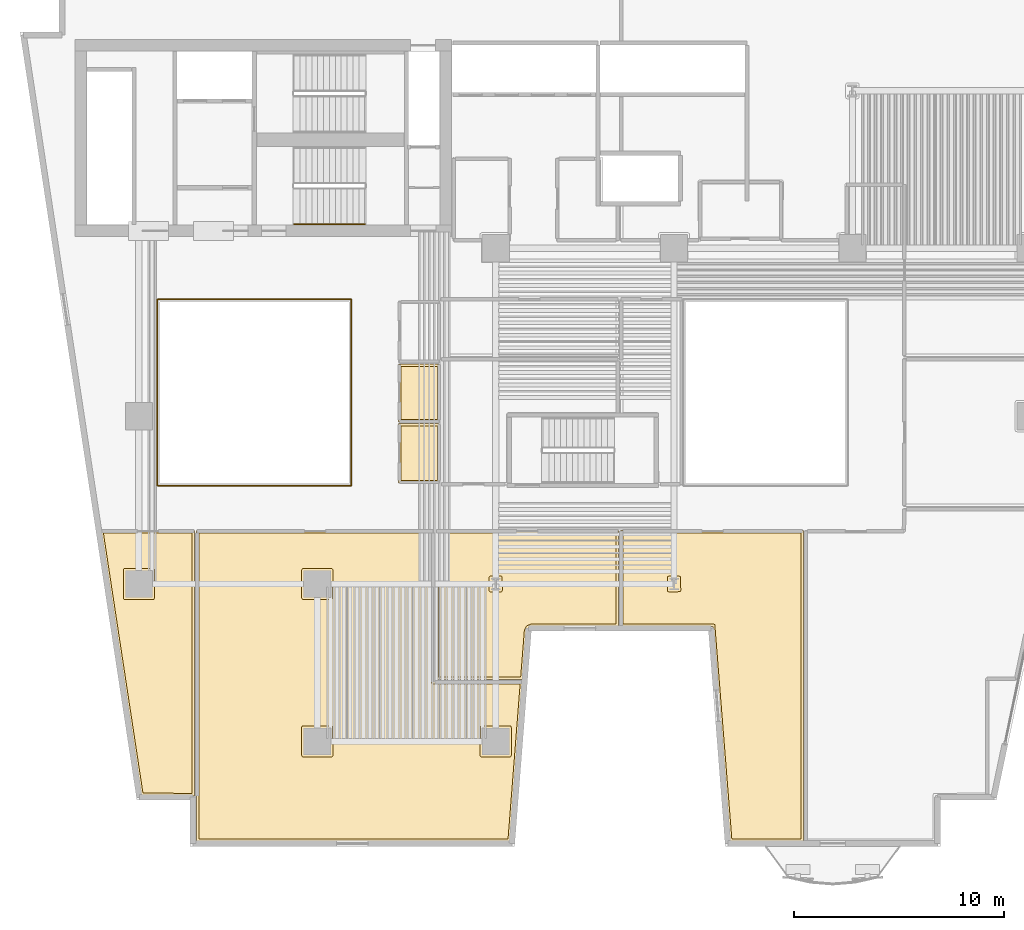
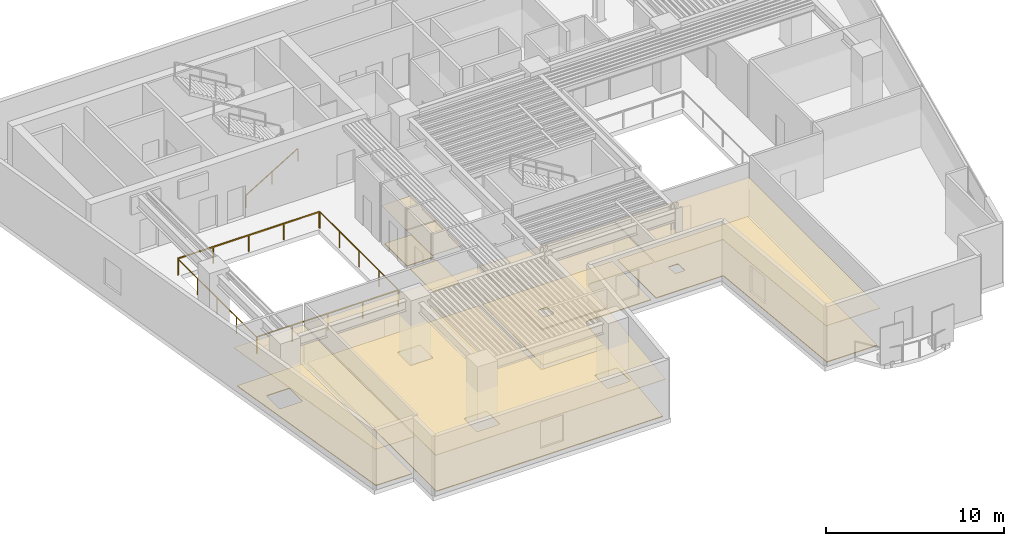
# One storey, part 7 of 11: 12 coverings, 5 railings.
"""IFC4 building model written with IfcOpenShell, lengths in metres."""

from ifc_helpers import new_model, si_unit, direction, frame, origin, origin_2d, place, context, subcontext, project, spatial, polyline, rectangle, outline, extrude, material, layer, layer_set, type_object, element, save


model = new_model("IFC4")

# Units and contexts
model_context = context("Model", 3, precision=1e-05, world=origin(), true_north=direction((0.0, 1.0)))
body_context = subcontext(model_context, "Body", "Model", "MODEL_VIEW")
ifc_project = project(units=[si_unit("LENGTHUNIT", "METRE"), si_unit("AREAUNIT", "SQUARE_METRE"), si_unit("VOLUMEUNIT", "CUBIC_METRE"), si_unit("PLANEANGLEUNIT", "RADIAN"), si_unit("MASSUNIT", "GRAM", prefix="KILO")], contexts=[model_context])

# Site, building, storey
site_placement = place(None, origin())
site = spatial("IfcSite", under=ifc_project, at=site_placement, CompositionType="ELEMENT")
building_placement = place(site_placement, origin())
building = spatial("IfcBuilding", under=site, at=building_placement, Name="Caeloran Harvest Quay", CompositionType="ELEMENT")
storey_placement = place(building_placement, frame((0.0, 0.0, 62.199951171875)))
storey = spatial("IfcBuildingStorey", under=building, at=storey_placement, Name="L14", CompositionType="ELEMENT", Elevation=62.199951171875)

# Coverings
ifc_material_1 = material(Name="Perforated Mineral-Fibre Acoustic Ceiling Tile", Category="ceiling")
ifc_layer_1 = layer(ifc_material_1, 0.0400390625, Name="Perforated Mineral-Fibre Acoustic Ceiling Tile")
ifc_layer_set_1 = layer_set([ifc_layer_1], Name="Perforated Mineral-Fibre Acoustic Ceiling Tile")
covering_type_1 = type_object("IfcCoveringType", Name="COV-CEILING-ACOUSTIC", PredefinedType="CEILING", material=ifc_layer_set_1)
covering_1_placement = place(storey_placement, frame((0.0, 0.0, 2.60009765625)))
element("IfcCovering", 1, at=covering_1_placement, inside=storey, type_object=covering_type_1, Name="L14 Female Washroom WC Acoustic Ceiling", PredefinedType="CEILING", context=body_context, shape_type="SweptSolid", body=[
    extrude(outline(polyline([(22.840087890625, 22.7099609375), (20.8701171875, 22.7099609375), (20.8701171875, 25.489990234375), (22.840087890625, 25.489990234375), (22.840087890625, 22.7099609375)])), origin(), (0.0, 0.0, 1.0), 0.0400390625),
])
covering_2_placement = place(storey_placement, frame((0.0, 0.0, 2.60009765625)))
element("IfcCovering", 2, at=covering_2_placement, inside=storey, type_object=covering_type_1, Name="L14 Accessible Unisex Washroom WC Acoustic Ceiling", PredefinedType="CEILING", context=body_context, shape_type="SweptSolid", body=[
    extrude(outline(polyline([(22.840087890625, 19.81005859375), (20.8701171875, 19.81005859375), (20.8701171875, 22.639892578125), (22.840087890625, 22.639892578125), (22.840087890625, 19.81005859375)])), origin(), (0.0, 0.0, 1.0), 0.0400390625),
])
covering_3_placement = place(storey_placement, frame((0.0, 0.0, 2.60009765625)))
element("IfcCovering", 3, at=covering_3_placement, inside=storey, type_object=covering_type_1, Name="Fermented Botanical Kitchen Acoustic Ceiling", PredefinedType="CEILING", context=body_context, shape_type="SweptSolid", body=[
    extrude(outline(polyline([(22.56005859375, 10.360107421875), (26.7958984375, 10.360107421875), (26.199462890625, 2.719970703125), (11.239990234375, 2.719970703125), (11.239990234375, 17.56005859375), (22.56005859375, 17.56005859375), (22.56005859375, 10.360107421875)])), origin(), (0.0, 0.0, 1.0), 0.0400390625),
])
covering_4_placement = place(storey_placement, frame((0.0, 0.0, 2.60009765625)))
element("IfcCovering", 4, at=covering_4_placement, inside=storey, type_object=covering_type_1, Name="Seedling Sensory Salon Lounge Acoustic Ceiling", PredefinedType="CEILING", context=body_context, shape_type="SweptSolid", body=[
    extrude(outline(polyline([(31.43994140625, 17.56005859375), (40.159912109375, 17.56005859375), (40.159912109375, 2.719970703125), (36.64404296875, 2.719970703125), (35.843994140625, 12.969970703125), (31.43994140625, 12.969970703125), (31.43994140625, 17.56005859375)])), origin(), (0.0, 0.0, 1.0), 0.0400390625),
])
covering_5_placement = place(storey_placement, frame((0.0, 0.0, 2.60009765625)))
element("IfcCovering", 5, at=covering_5_placement, inside=storey, type_object=covering_type_1, Name="Pollination Dining Lounge Acoustic Ceiling", PredefinedType="CEILING", context=body_context, shape_type="SweptSolid", body=[
    extrude(outline(polyline([(11.159912109375, 4.899658203125), (8.59130859375, 4.919921875), (6.668701171875, 17.56005859375), (11.159912109375, 17.56005859375), (11.159912109375, 4.899658203125)])), origin(), (0.0, 0.0, 1.0), 0.0400390625),
])
covering_6_placement = place(storey_placement, frame((0.0, 0.0, 2.60009765625)))
element("IfcCovering", 6, at=covering_6_placement, inside=storey, type_object=covering_type_1, Name="Harvest Seminar Room Acoustic Ceiling", PredefinedType="CEILING", context=body_context, shape_type="SweptSolid", body=[
    extrude(outline(polyline([(27.159423828125, 12.965576171875), (27.0458984375, 12.90380859375), (26.986572265625, 12.788818359375), (26.802001953125, 10.43994140625), (22.639892578125, 10.43994140625), (22.639892578125, 17.56005859375), (31.360107421875, 17.56005859375), (31.360107421875, 12.969970703125), (27.159423828125, 12.965576171875)])), origin(), (0.0, 0.0, 1.0), 0.0400390625),
])
ifc_material_2 = material(Name="Calcium-Sulphate Raised Access Floor and Terrazzo Finish", Category="flooring")
ifc_layer_2 = layer(ifc_material_2, 0.050048828125, Name="Calcium-Sulphate Raised Access Floor and Terrazzo Finish")
ifc_layer_set_2 = layer_set([ifc_layer_2], Name="Calcium-Sulphate Raised Access Floor and Terrazzo Finish")
covering_type_2 = type_object("IfcCoveringType", Name="COV-FLOOR-RAISED", PredefinedType="FLOORING", material=ifc_layer_set_2)
covering_7_placement = place(storey_placement, origin())
element("IfcCovering", 7, at=covering_7_placement, inside=storey, type_object=covering_type_2, Name="L14 Female Washroom WC Raised Finish Flooring", PredefinedType="FLOORING", context=body_context, shape_type="SweptSolid", body=[
    extrude(outline(polyline([(22.719970703125, 22.830078125), (20.989990234375, 22.830078125), (20.989990234375, 25.3701171875), (22.719970703125, 25.3701171875), (22.719970703125, 22.830078125)])), origin(), (0.0, 0.0, 1.0), 0.050048828125),
])
covering_8_placement = place(storey_placement, origin())
element("IfcCovering", 8, at=covering_8_placement, inside=storey, type_object=covering_type_2, Name="L14 Accessible Unisex Washroom WC Raised Finish Flooring", PredefinedType="FLOORING", context=body_context, shape_type="SweptSolid", body=[
    extrude(outline(polyline([(22.719970703125, 19.929931640625), (20.989990234375, 19.929931640625), (20.989990234375, 22.52001953125), (22.719970703125, 22.52001953125), (22.719970703125, 19.929931640625)])), origin(), (0.0, 0.0, 1.0), 0.050048828125),
])
covering_9_placement = place(storey_placement, origin())
element("IfcCovering", 9, at=covering_9_placement, inside=storey, type_object=covering_type_2, Name="Fermented Botanical Kitchen Raised Finish Flooring", PredefinedType="FLOORING", context=body_context, shape_type="SweptSolid", body=[
    extrude(outline(polyline([(11.360107421875, 17.43994140625), (22.43994140625, 17.43994140625), (22.449462890625, 10.2822265625), (22.52001953125, 10.239990234375), (26.666015625, 10.239990234375), (26.08837890625, 2.840087890625), (11.360107421875, 2.840087890625), (11.360107421875, 17.43994140625)]), holes=[polyline([(26.2451171875, 8.1650390625), (26.2216796875, 8.2216796875), (26.1650390625, 8.2451171875), (24.8349609375, 8.2451171875), (24.7783203125, 8.2216796875), (24.7548828125, 8.1650390625), (24.7548828125, 6.8349609375), (24.7783203125, 6.7783203125), (24.8349609375, 6.7548828125), (26.1650390625, 6.7548828125), (26.2216796875, 6.7783203125), (26.2451171875, 6.8349609375), (26.2451171875, 8.1650390625)]), polyline([(16.3349609375, 8.2451171875), (16.2783203125, 8.2216796875), (16.2548828125, 8.1650390625), (16.2548828125, 6.8349609375), (16.2783203125, 6.7783203125), (16.3349609375, 6.7548828125), (17.6650390625, 6.7548828125), (17.7216796875, 6.7783203125), (17.7451171875, 6.8349609375), (17.7451171875, 8.1650390625), (17.7216796875, 8.2216796875), (17.6650390625, 8.2451171875), (16.3349609375, 8.2451171875)]), polyline([(17.7451171875, 15.6650390625), (17.7216796875, 15.7216796875), (17.6650390625, 15.7451171875), (16.3349609375, 15.7451171875), (16.2783203125, 15.7216796875), (16.2548828125, 15.6650390625), (16.2548828125, 14.3349609375), (16.2783203125, 14.2783203125), (16.3349609375, 14.2548828125), (17.6650390625, 14.2548828125), (17.7216796875, 14.2783203125), (17.7451171875, 14.3349609375), (17.7451171875, 15.6650390625)])]), origin(), (0.0, 0.0, 1.0), 0.050048828125),
])
covering_10_placement = place(storey_placement, origin())
element("IfcCovering", 10, at=covering_10_placement, inside=storey, type_object=covering_type_2, Name="Seedling Sensory Salon Lounge Raised Finish Flooring", PredefinedType="FLOORING", context=body_context, shape_type="SweptSolid", body=[
    extrude(outline(polyline([(31.56005859375, 13.090087890625), (31.56005859375, 17.43994140625), (40.0400390625, 17.43994140625), (40.0400390625, 2.840087890625), (36.7548828125, 2.840087890625), (35.943603515625, 13.06005859375), (35.881103515625, 13.090087890625), (31.56005859375, 13.090087890625)]), holes=[polyline([(33.758056640625, 15.37939453125), (33.701416015625, 15.356201171875), (33.678466796875, 15.307373046875), (33.69140625, 14.656005859375), (33.758056640625, 14.62060546875), (34.286376953125, 14.634033203125), (34.322021484375, 14.700439453125), (34.30859375, 15.343994140625), (34.249755859375, 15.379150390625), (33.758056640625, 15.37939453125)])]), origin(), (0.0, 0.0, 1.0), 0.050048828125),
])
covering_11_placement = place(storey_placement, origin())
element("IfcCovering", 11, at=covering_11_placement, inside=storey, type_object=covering_type_2, Name="Pollination Dining Lounge Raised Finish Flooring", PredefinedType="FLOORING", context=body_context, shape_type="SweptSolid", body=[
    extrude(outline(polyline([(11.0400390625, 5.02392578125), (8.694580078125, 5.0400390625), (6.80810546875, 17.43994140625), (11.0400390625, 17.43994140625), (11.0400390625, 5.02392578125)]), holes=[polyline([(9.2451171875, 15.6650390625), (9.2216796875, 15.7216796875), (9.1650390625, 15.7451171875), (7.8349609375, 15.7451171875), (7.7783203125, 15.7216796875), (7.7548828125, 15.6650390625), (7.7548828125, 14.3349609375), (7.7783203125, 14.2783203125), (7.8349609375, 14.2548828125), (9.1650390625, 14.2548828125), (9.2216796875, 14.2783203125), (9.2451171875, 14.3349609375), (9.2451171875, 15.6650390625)])]), origin(), (0.0, 0.0, 1.0), 0.050048828125),
])
covering_12_placement = place(storey_placement, origin())
element("IfcCovering", 12, at=covering_12_placement, inside=storey, type_object=covering_type_2, Name="Harvest Seminar Room Raised Finish Flooring", PredefinedType="FLOORING", context=body_context, shape_type="SweptSolid", body=[
    extrude(outline(polyline([(27.173095703125, 13.088623046875), (26.981689453125, 13.008056640625), (26.869140625, 12.81396484375), (26.69091796875, 10.56005859375), (22.760009765625, 10.56005859375), (22.760009765625, 17.43994140625), (31.239990234375, 17.43994140625), (31.239990234375, 13.090087890625), (27.173095703125, 13.088623046875)]), holes=[polyline([(25.822021484375, 14.700439453125), (25.8037109375, 15.350341796875), (25.749755859375, 15.379150390625), (25.258056640625, 15.37939453125), (25.201416015625, 15.356201171875), (25.177978515625, 15.299560546875), (25.177978515625, 14.700439453125), (25.201416015625, 14.643798828125), (25.258056640625, 14.62060546875), (25.741943359375, 14.62060546875), (25.798583984375, 14.643798828125), (25.822021484375, 14.700439453125)])]), origin(), (0.0, 0.0, 1.0), 0.050048828125),
])

# Railings
ifc_material_3 = material(Name="Powder-Coated Steel Post and Laminated Glass Guardrail", Category="steel")
ifc_layer_3 = layer(ifc_material_3, 0.06005859375, Name="Powder-Coated Steel Post and Laminated Glass Guardrail")
ifc_layer_set_3 = layer_set([ifc_layer_3], Name="Powder-Coated Steel Post and Laminated Glass Guardrail")
railing_type_1 = type_object("IfcRailingType", Name="GUARD-ATRIUM-1150", PredefinedType="GUARDRAIL", material=ifc_layer_set_3)
railing_1_placement = place(storey_placement, frame((9.412109375, 19.679931640625, 0.0)))
element("IfcRailing", 13, at=railing_1_placement, inside=storey, type_object=railing_type_1, Name="L14 Skylit Atrium Void Perimeter Guardrail Seg 1", PredefinedType="GUARDRAIL", context=body_context, shape_type="SweptSolid", body=[
    extrude(rectangle(XDim=0.048095703125, YDim=0.048095703125, at=origin_2d()), frame((0.0, 0.0, 1.1259765625), z_axis=(1.0, 0.0, 0.0), x_axis=(0.0, 1.0, 0.0)), (0.0, 0.0, 1.0), 9.17578125),
    extrude(rectangle(XDim=0.0419921875, YDim=0.0419921875, at=origin_2d()), origin(), (0.0, 0.0, 1.0), 1.101806640625),
    extrude(rectangle(XDim=0.0419921875, YDim=0.0419921875, at=origin_2d()), frame((2.2939453125, 0.0, 0.0)), (0.0, 0.0, 1.0), 1.101806640625),
    extrude(rectangle(XDim=0.0419921875, YDim=0.0419921875, at=origin_2d()), frame((4.587890625, 0.0, 0.0)), (0.0, 0.0, 1.0), 1.101806640625),
    extrude(rectangle(XDim=0.0419921875, YDim=0.0419921875, at=origin_2d()), frame((6.8818359375, 0.0, 0.0)), (0.0, 0.0, 1.0), 1.101806640625),
    extrude(rectangle(XDim=0.0419921875, YDim=0.0419921875, at=origin_2d()), frame((9.17578125, 0.0, 0.0)), (0.0, 0.0, 1.0), 1.101806640625),
])
railing_2_placement = place(storey_placement, frame((18.6201171875, 19.7119140625, 0.0)))
element("IfcRailing", 14, at=railing_2_placement, inside=storey, type_object=railing_type_1, Name="L14 Skylit Atrium Void Perimeter Guardrail Seg 2", PredefinedType="GUARDRAIL", context=body_context, shape_type="SweptSolid", body=[
    extrude(rectangle(XDim=0.048095703125, YDim=0.048095703125, at=origin_2d()), frame((0.0, 0.0, 1.1259765625), z_axis=(0.0, 1.0, 0.0), x_axis=(-1.0, 0.0, 0.0)), (0.0, 0.0, 1.0), 8.826171875),
    extrude(rectangle(XDim=0.0419921875, YDim=0.0419921875, at=origin_2d()), origin(), (0.0, 0.0, 1.0), 1.101806640625),
    extrude(rectangle(XDim=0.0419921875, YDim=0.0419921875, at=origin_2d()), frame((0.0, 2.20654296875, 0.0)), (0.0, 0.0, 1.0), 1.101806640625),
    extrude(rectangle(XDim=0.0419921875, YDim=0.0419921875, at=origin_2d()), frame((0.0, 4.4130859375, 0.0)), (0.0, 0.0, 1.0), 1.101806640625),
    extrude(rectangle(XDim=0.0419921875, YDim=0.0419921875, at=origin_2d()), frame((0.0, 6.61962890625, 0.0)), (0.0, 0.0, 1.0), 1.101806640625),
    extrude(rectangle(XDim=0.0419921875, YDim=0.0419921875, at=origin_2d()), frame((0.0, 8.826171875, 0.0)), (0.0, 0.0, 1.0), 1.101806640625),
])
railing_3_placement = place(storey_placement, frame((18.587890625, 28.570068359375, 0.0)))
element("IfcRailing", 15, at=railing_3_placement, inside=storey, type_object=railing_type_1, Name="L14 Skylit Atrium Void Perimeter Guardrail Seg 3", PredefinedType="GUARDRAIL", context=body_context, shape_type="SweptSolid", body=[
    extrude(rectangle(XDim=0.048095703125, YDim=0.048095703125, at=origin_2d()), frame((0.0, 0.0, 1.1259765625), z_axis=(-1.0, 0.0, 0.0), x_axis=(0.0, -1.0, 0.0)), (0.0, 0.0, 1.0), 9.17578125),
    extrude(rectangle(XDim=0.0419921875, YDim=0.0419921875, at=origin_2d()), origin(), (0.0, 0.0, 1.0), 1.101806640625),
    extrude(rectangle(XDim=0.0419921875, YDim=0.0419921875, at=origin_2d()), frame((-2.2939453125, 0.0, 0.0)), (0.0, 0.0, 1.0), 1.101806640625),
    extrude(rectangle(XDim=0.0419921875, YDim=0.0419921875, at=origin_2d()), frame((-4.587890625, 0.0, 0.0)), (0.0, 0.0, 1.0), 1.101806640625),
    extrude(rectangle(XDim=0.0419921875, YDim=0.0419921875, at=origin_2d()), frame((-6.8818359375, 0.0, 0.0)), (0.0, 0.0, 1.0), 1.101806640625),
    extrude(rectangle(XDim=0.0419921875, YDim=0.0419921875, at=origin_2d()), frame((-9.17578125, 0.0, 0.0)), (0.0, 0.0, 1.0), 1.101806640625),
])
railing_4_placement = place(storey_placement, frame((9.3798828125, 28.5380859375, 0.0)))
element("IfcRailing", 16, at=railing_4_placement, inside=storey, type_object=railing_type_1, Name="L14 Skylit Atrium Void Perimeter Guardrail Seg 4", PredefinedType="GUARDRAIL", context=body_context, shape_type="SweptSolid", body=[
    extrude(rectangle(XDim=0.048095703125, YDim=0.048095703125, at=origin_2d()), frame((0.0, 0.0, 1.1259765625), z_axis=(0.0, -1.0, 0.0), x_axis=(1.0, 0.0, 0.0)), (0.0, 0.0, 1.0), 8.826171875),
    extrude(rectangle(XDim=0.0419921875, YDim=0.0419921875, at=origin_2d()), origin(), (0.0, 0.0, 1.0), 1.101806640625),
    extrude(rectangle(XDim=0.0419921875, YDim=0.0419921875, at=origin_2d()), frame((0.0, -2.20654296875, 0.0)), (0.0, 0.0, 1.0), 1.101806640625),
    extrude(rectangle(XDim=0.0419921875, YDim=0.0419921875, at=origin_2d()), frame((0.0, -4.4130859375, 0.0)), (0.0, 0.0, 1.0), 1.101806640625),
    extrude(rectangle(XDim=0.0419921875, YDim=0.0419921875, at=origin_2d()), frame((0.0, -6.61962890625, 0.0)), (0.0, 0.0, 1.0), 1.101806640625),
    extrude(rectangle(XDim=0.0419921875, YDim=0.0419921875, at=origin_2d()), frame((0.0, -8.826171875, 0.0)), (0.0, 0.0, 1.0), 1.101806640625),
])
ifc_material_4 = material(Name="Brushed Stainless Steel Grade 304", Category="steel")
ifc_layer_4 = layer(ifc_material_4, 0.050048828125, Name="Brushed Stainless Steel Grade 304")
ifc_layer_set_4 = layer_set([ifc_layer_4], Name="Brushed Stainless Steel Grade 304")
railing_type_2 = type_object("IfcRailingType", Name="STAIR-HANDRAIL-900", PredefinedType="HANDRAIL", material=ifc_layer_set_4)
railing_5_placement = place(storey_placement, frame((15.89990234375, 32.14990234375, 0.169189453125)))
element("IfcRailing", 17, at=railing_5_placement, inside=storey, type_object=railing_type_2, Name="L14 ST-C2 stair handrail 1", PredefinedType="HANDRAIL", context=body_context, shape_type="SweptSolid", body=[
    extrude(rectangle(XDim=0.048095703125, YDim=0.048095703125, at=origin_2d()), frame((0.0, 0.0, 0.8759765625), z_axis=(0.855836976705, 0.0, 0.517245656632), x_axis=(0.0, 1.0, 0.0)), (0.0, 0.0, 1.0), 3.926025390625),
    extrude(rectangle(XDim=0.0419921875, YDim=0.0419921875, at=origin_2d()), origin(), (0.0, 0.0, 1.0), 0.851806640625),
    extrude(rectangle(XDim=0.0419921875, YDim=0.0419921875, at=origin_2d()), frame((1.68017578125, 0.0, 1.015380859375)), (0.0, 0.0, 1.0), 0.851806640625),
    extrude(rectangle(XDim=0.0419921875, YDim=0.0419921875, at=origin_2d()), frame((3.360107421875, 0.0, 2.03076171875)), (0.0, 0.0, 1.0), 0.851806640625),
])

save(model, "model.ifc")
